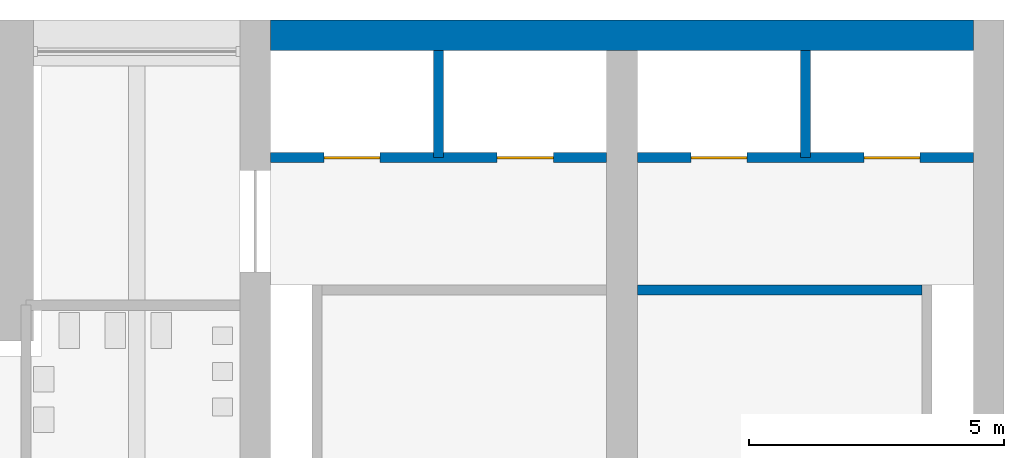
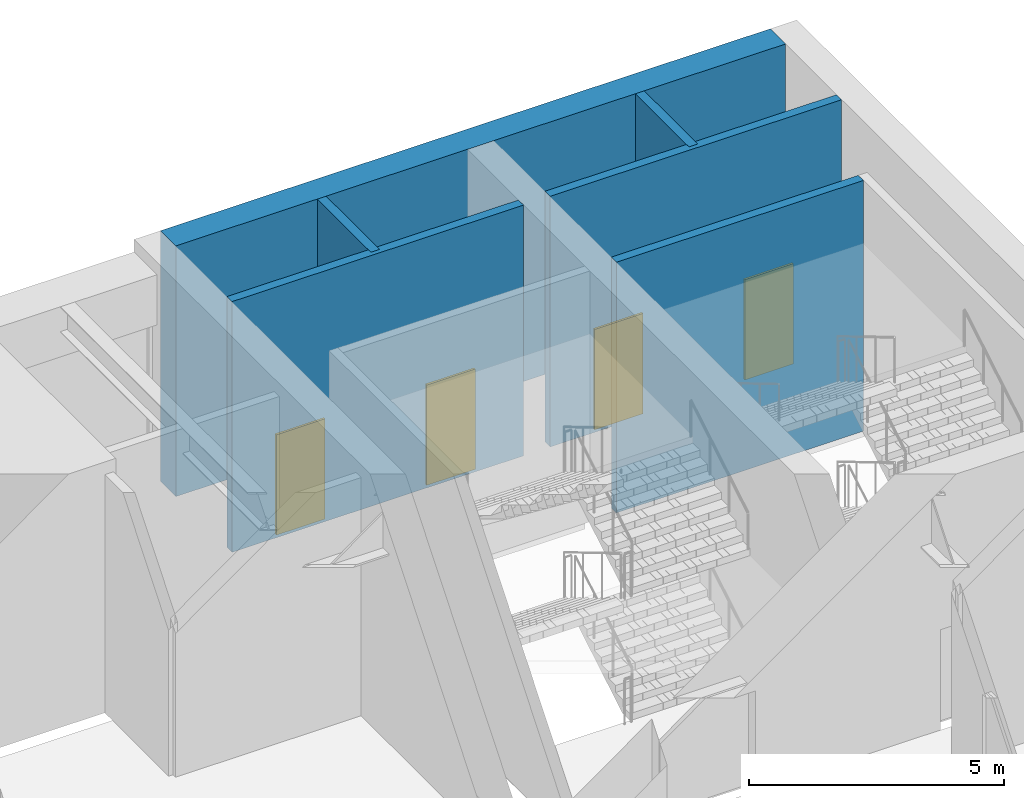
# One storey, part 17 of 41: 6 walls, 4 doors, 4 openings.
"""IFC4 building model written with IfcOpenShell, lengths in metres."""

import ifcopenshell
import ifcopenshell.guid

model = None  # the IFC model being written
_history = None  # IfcOwnerHistory: only IFC2X3 demands one
_inside = {}  # id of a spatial element -> (the spatial element, [elements in it])
_under = {}  # id of a project, library or spatial element -> (it, [spatial elements below it])
_declared = {}  # id of a project -> (the project, [libraries it declares])
_typed = {}  # id of a type object -> (the type object, [elements of that type])
_made_of = {}  # id of a material, layer set ... -> (it, [elements and type objects made of it])


def new_model(schema):
    """Start an empty IFC model of exactly this schema.

    Asked for "IFC4X3", IfcOpenShell would pick the latest addendum, in which some entities
    have other attributes; the version numbers below select the first issue.
    IFC2X3 requires an IfcOwnerHistory on every rooted entity: one is made here for all.
    """
    global model, _history
    if schema == "IFC4X3":
        model = ifcopenshell.file(schema_version=(4, 3, 0, 0))
    else:
        model = ifcopenshell.file(schema=schema)
    _inside.clear()
    _under.clear()
    _declared.clear()
    _typed.clear()
    _made_of.clear()
    _history = None
    if model.schema == "IFC2X3":
        org = make("IfcOrganization", Name="unknown")
        user = make(
            "IfcPersonAndOrganization",
            ThePerson=make("IfcPerson", FamilyName="unknown"),
            TheOrganization=org,
        )
        app = make(
            "IfcApplication",
            ApplicationDeveloper=org,
            Version="unknown",
            ApplicationFullName="unknown",
            ApplicationIdentifier="unknown",
        )
        _history = make(
            "IfcOwnerHistory",
            OwningUser=user,
            OwningApplication=app,
            ChangeAction="ADDED",
            CreationDate=0,
        )
    return model


def make(cls, **values):
    """One entity of the class cls with the attributes given. An attribute that is None is left unset."""
    return model.create_entity(
        cls, **{name: value for name, value in values.items() if value is not None}
    )


def rooted(cls, **values):
    """An entity with a GlobalId (a new one), such as an element, a storey or a relation."""
    return make(cls, GlobalId=ifcopenshell.guid.new(), OwnerHistory=_history, **values)


def si_unit(unit_type, name, prefix=None):
    """IfcSIUnit, for example si_unit("LENGTHUNIT", "METRE", prefix="MILLI")."""
    return make("IfcSIUnit", UnitType=unit_type, Prefix=prefix, Name=name)


def assignment(units):
    """IfcUnitAssignment: the units of a project."""
    return None if units is None else make("IfcUnitAssignment", Units=units)


def point(xyz):
    """IfcCartesianPoint."""
    return None if xyz is None else make("IfcCartesianPoint", Coordinates=xyz)


def direction(xyz):
    """IfcDirection."""
    return None if xyz is None else make("IfcDirection", DirectionRatios=xyz)


def frame(location, z_axis=None, x_axis=None):
    """IfcAxis2Placement3D, a coordinate frame: its origin and axes. An axis left out is left unset."""
    return make(
        "IfcAxis2Placement3D",
        Location=point(location),
        Axis=direction(z_axis),
        RefDirection=direction(x_axis),
    )


def frame_2d(location, x_axis=None):
    """IfcAxis2Placement2D, a coordinate frame in the plane: its origin and x axis."""
    return make(
        "IfcAxis2Placement2D", Location=point(location), RefDirection=direction(x_axis)
    )


def origin():
    """The frame at (0, 0, 0) with its axes left unset."""
    return frame((0.0, 0.0, 0.0))


def place(relative_to, where):
    """IfcLocalPlacement: puts the frame where relative to a parent placement (None: the world)."""
    return make(
        "IfcLocalPlacement", PlacementRelTo=relative_to, RelativePlacement=where
    )


def context(
    kind, dimensions, precision=None, world=None, true_north=None, identifier=None
):
    """IfcGeometricRepresentationContext, for example the 3D "Model" context."""
    return make(
        "IfcGeometricRepresentationContext",
        ContextIdentifier=identifier,
        ContextType=kind,
        CoordinateSpaceDimension=dimensions,
        Precision=precision,
        WorldCoordinateSystem=world,
        TrueNorth=true_north,
    )


def subcontext(parent, identifier, kind, view, scale=None):
    """IfcGeometricRepresentationSubContext, for example "Body" below "Model"."""
    return make(
        "IfcGeometricRepresentationSubContext",
        ContextIdentifier=identifier,
        ContextType=kind,
        ParentContext=parent,
        TargetScale=scale,
        TargetView=view,
    )


def project(units=None, contexts=None):
    """IfcProject with its units and contexts."""
    return rooted(
        "IfcProject",
        Name="project",
        RepresentationContexts=contexts,
        UnitsInContext=assignment(units),
    )


def spatial(cls, under=None, at=None, **own):
    """A site, building, storey or space (cls), placed at a placement, below another one or the project."""
    s = rooted(cls, ObjectPlacement=at, **own)
    if under is not None:
        _under.setdefault(under.id(), (under, []))[1].append(s)
    return s


def profile(cls, at=None, kind="AREA", **sizes):
    """A parametric profile (cls). Its sizes go by their IFC names, for example OverallWidth=200.0."""
    return make(cls, ProfileType=kind, Position=at, **sizes)


def rectangle(**sizes):
    """IfcRectangleProfileDef."""
    return profile("IfcRectangleProfileDef", **sizes)


def extrude(swept, where, along, depth):
    """IfcExtrudedAreaSolid: the profile swept, set in the frame where, extruded along a direction by depth."""
    return make(
        "IfcExtrudedAreaSolid",
        SweptArea=swept,
        Position=where,
        ExtrudedDirection=direction(along),
        Depth=depth,
    )


def shape(context_of_items, identifier, shape_type, items):
    """IfcShapeRepresentation: the items that make up one representation, for example the "Body"."""
    return make(
        "IfcShapeRepresentation",
        ContextOfItems=context_of_items,
        RepresentationIdentifier=identifier,
        RepresentationType=shape_type,
        Items=items,
    )


def material(Name=None, Category=None):
    """IfcMaterial."""
    return make("IfcMaterial", Name=Name, Category=Category)


def layer(
    of_material, thickness, ventilated=None, Name=None, Category=None, Priority=None
):
    """IfcMaterialLayer: one layer of a wall or slab, of a material (None: an air gap)."""
    return make(
        "IfcMaterialLayer",
        Material=of_material,
        LayerThickness=thickness,
        IsVentilated=ventilated,
        Name=Name,
        Category=Category,
        Priority=Priority,
    )


def layer_set(layers, Name=None):
    """IfcMaterialLayerSet."""
    return make("IfcMaterialLayerSet", MaterialLayers=layers, LayerSetName=Name)


def made_of(thing, what):
    """Note that an element or type object is made of a material, layer set ...; save() writes the relation."""
    if what is not None:
        _made_of.setdefault(what.id(), (what, []))[1].append(thing)
    return thing


def type_object(cls, material=None, **own):
    """A type object (cls), such as IfcWallType, which elements share."""
    return made_of(rooted(cls, **own), material)


def element(
    cls,
    number,
    at=None,
    inside=None,
    cuts=None,
    type_object=None,
    material=None,
    context=None,
    identifier="Body",
    shape_type=None,
    held_by="IfcProductDefinitionShape",
    body=None,
    shapes=None,
    **own,
):
    """One element of the class cls, such as IfcWall. Its Tag is "e" and its number.

    at: its placement. inside: the storey or other place that contains it. cuts: it is an
    opening in that element (IfcRelVoidsElement). A single representation is given by context,
    identifier, shape_type and body (its items); several are given by shapes. held_by: the class
    of the entity that holds the representations. save() writes the other relations.
    """
    e = rooted(cls, Tag="e%d" % number, ObjectPlacement=at, **own)
    if body is not None:
        shapes = [shape(context, identifier, shape_type, body)]
    if shapes is not None:
        e.Representation = make(held_by, Representations=shapes)
    if inside is not None:
        _inside.setdefault(inside.id(), (inside, []))[1].append(e)
    if cuts is not None:
        rooted(
            "IfcRelVoidsElement", RelatingBuildingElement=cuts, RelatedOpeningElement=e
        )
    if type_object is not None:
        _typed.setdefault(type_object.id(), (type_object, []))[1].append(e)
    return made_of(e, material)


def fill(opening, filler):
    """IfcRelFillsElement: the door or window that sits in an opening."""
    return rooted(
        "IfcRelFillsElement",
        RelatingOpeningElement=opening,
        RelatedBuildingElement=filler,
    )


def aggregate(whole, parts):
    """IfcRelAggregates: a whole, such as a stair, and the parts it consists of."""
    return rooted("IfcRelAggregates", RelatingObject=whole, RelatedObjects=parts)


def save(model, path):
    """Write the relations noted so far, then the file.

    IfcRelAggregates (storeys below a building ...), IfcRelContainedInSpatialStructure (elements
    in a storey), IfcRelDefinesByType, IfcRelAssociatesMaterial and IfcRelDeclares: one each for
    every whole, place, type object, material and project.
    """
    for whole, parts in _under.values():
        aggregate(whole, parts)
    for where, things in _inside.values():
        rooted(
            "IfcRelContainedInSpatialStructure",
            RelatedElements=things,
            RelatingStructure=where,
        )
    for kind, things in _typed.values():
        rooted("IfcRelDefinesByType", RelatedObjects=things, RelatingType=kind)
    for what, things in _made_of.values():
        rooted("IfcRelAssociatesMaterial", RelatedObjects=things, RelatingMaterial=what)
    for by, libraries in _declared.values():
        rooted("IfcRelDeclares", RelatingContext=by, RelatedDefinitions=libraries)
    model.write(path)


model = new_model("IFC4")

# Units and contexts
model_context = context("Model", 3, precision=1e-05, world=origin(), true_north=direction((0.0, 1.0)))
body_context = subcontext(model_context, "Body", "Model", "MODEL_VIEW")
ifc_project = project(units=[si_unit("LENGTHUNIT", "METRE"), si_unit("AREAUNIT", "SQUARE_METRE"), si_unit("VOLUMEUNIT", "CUBIC_METRE"), si_unit("PLANEANGLEUNIT", "RADIAN"), si_unit("MASSUNIT", "GRAM", prefix="KILO")], contexts=[model_context])

# Site, building, storey
site_placement = place(None, origin())
site = spatial("IfcSite", under=ifc_project, at=site_placement, CompositionType="ELEMENT")
building_placement = place(site_placement, origin())
building = spatial("IfcBuilding", under=site, at=building_placement, Name="Corbelhall Arena Tower", CompositionType="ELEMENT")
storey_placement = place(building_placement, frame((0.0, 0.0, 19.0)))
storey = spatial("IfcBuildingStorey", under=building, at=storey_placement, Name="L02", CompositionType="ELEMENT", Elevation=19.0)

# Wall, openings, doors
ifc_material_1 = material(Name="Reinforced concrete C40/50", Category="concrete")
ifc_layer_1 = layer(ifc_material_1, 0.199951171875)
ifc_layer_set_1 = layer_set([ifc_layer_1], Name="AR-SHAFT-WALL")
wall_type_1 = type_object("IfcWallType", Name="AR-SHAFT-WALL", PredefinedType="SHEAR", material=ifc_layer_set_1)
wall_1_placement = place(storey_placement, frame((33.60009765625, 36.300048828125, 0.0), z_axis=(0.0, 0.0, 1.0), x_axis=(1.0, 0.0, 0.0)))
wall_1 = element("IfcWall", 1, at=wall_1_placement, inside=storey, type_object=wall_type_1, Name="Lift lobby wall NE", PredefinedType="SHEAR", context=body_context, shape_type="SweptSolid", body=[
    extrude(rectangle(XDim=6.599853515625, YDim=0.199951171875, at=frame_2d((3.2998046875, 0.0))), origin(), (0.0, 0.0, 1.0), 6.0),
])
opening_1_placement = place(wall_1_placement, frame((1.050048828125, 0.0, 0.0)))
opening_1 = element("IfcOpeningElement", 2, at=opening_1_placement, cuts=wall_1, Name="Opening LD0127", PredefinedType="OPENING", context=body_context, shape_type="SweptSolid", body=[
    extrude(rectangle(XDim=1.10009765625, YDim=2.39990234375, at=frame_2d((0.550048828125, 1.199951171875))), frame((0.0, 0.10009765625, 0.0), z_axis=(0.0, -1.0, 0.0), x_axis=(1.0, 0.0, 0.0)), (0.0, 0.0, 1.0), 0.199951171875),
])
opening_2_placement = place(wall_1_placement, frame((4.449951171875, 0.0, 0.0)))
opening_2 = element("IfcOpeningElement", 3, at=opening_2_placement, cuts=wall_1, Name="Opening LD0128", PredefinedType="OPENING", context=body_context, shape_type="SweptSolid", body=[
    extrude(rectangle(XDim=1.10009765625, YDim=2.39990234375, at=frame_2d((0.550048828125, 1.199951171875))), frame((0.0, 0.10009765625, 0.0), z_axis=(0.0, -1.0, 0.0), x_axis=(1.0, 0.0, 0.0)), (0.0, 0.0, 1.0), 0.199951171875),
])
ifc_material_2 = material(Name="Stainless steel A4", Category="steel")
door_type = type_object("IfcDoorType", Name="AR-LANDING-DOOR", OperationType="DOUBLE_DOOR_SLIDING", PredefinedType="DOOR", material=ifc_material_2)
door_1_placement = place(opening_1_placement, origin())
door_1 = element("IfcDoor", 4, at=door_1_placement, inside=storey, type_object=door_type, Name="Landing door NE LF1 L02", OperationType="DOUBLE_DOOR_SLIDING", OverallHeight=2.39990234375, OverallWidth=1.10009765625, PredefinedType="DOOR", context=body_context, shape_type="SweptSolid", body=[
    extrude(rectangle(XDim=1.10009765625, YDim=2.39990234375, at=frame_2d((0.550048828125, 1.199951171875))), frame((0.0, 0.02490234375, 0.0), z_axis=(0.0, -1.0, 0.0), x_axis=(1.0, 0.0, 0.0)), (0.0, 0.0, 1.0), 0.050048828125),
])
fill(opening_1, door_1)
door_2_placement = place(opening_2_placement, origin())
door_2 = element("IfcDoor", 5, at=door_2_placement, inside=storey, type_object=door_type, Name="Landing door NE LF2 L02", OperationType="DOUBLE_DOOR_SLIDING", OverallHeight=2.39990234375, OverallWidth=1.10009765625, PredefinedType="DOOR", context=body_context, shape_type="SweptSolid", body=[
    extrude(rectangle(XDim=1.10009765625, YDim=2.39990234375, at=frame_2d((0.550048828125, 1.199951171875))), frame((0.0, 0.02490234375, 0.0), z_axis=(0.0, -1.0, 0.0), x_axis=(1.0, 0.0, 0.0)), (0.0, 0.0, 1.0), 0.050048828125),
])
fill(opening_2, door_2)

wall_2_placement = place(storey_placement, frame((40.800048828125, 36.300048828125, 0.0), z_axis=(0.0, 0.0, 1.0), x_axis=(1.0, 0.0, 0.0)))
wall_2 = element("IfcWall", 6, at=wall_2_placement, inside=storey, type_object=wall_type_1, Name="Lift lobby wall NE", PredefinedType="SHEAR", context=body_context, shape_type="SweptSolid", body=[
    extrude(rectangle(XDim=6.599853515625, YDim=0.199951171875, at=frame_2d((3.2998046875, 0.0))), origin(), (0.0, 0.0, 1.0), 6.0),
])
opening_3_placement = place(wall_2_placement, frame((1.050048828125, 0.0, 0.0)))
opening_3 = element("IfcOpeningElement", 7, at=opening_3_placement, cuts=wall_2, Name="Opening LD0129", PredefinedType="OPENING", context=body_context, shape_type="SweptSolid", body=[
    extrude(rectangle(XDim=1.10009765625, YDim=2.39990234375, at=frame_2d((0.550048828125, 1.199951171875))), frame((0.0, 0.10009765625, 0.0), z_axis=(0.0, -1.0, 0.0), x_axis=(1.0, 0.0, 0.0)), (0.0, 0.0, 1.0), 0.199951171875),
])
opening_4_placement = place(wall_2_placement, frame((4.449951171875, 0.0, 0.0)))
opening_4 = element("IfcOpeningElement", 8, at=opening_4_placement, cuts=wall_2, Name="Opening LD0130", PredefinedType="OPENING", context=body_context, shape_type="SweptSolid", body=[
    extrude(rectangle(XDim=1.10009765625, YDim=2.39990234375, at=frame_2d((0.550048828125, 1.199951171875))), frame((0.0, 0.10009765625, 0.0), z_axis=(0.0, -1.0, 0.0), x_axis=(1.0, 0.0, 0.0)), (0.0, 0.0, 1.0), 0.199951171875),
])
door_3_placement = place(opening_3_placement, origin())
door_3 = element("IfcDoor", 9, at=door_3_placement, inside=storey, type_object=door_type, Name="Landing door NE LF3 L02", OperationType="DOUBLE_DOOR_SLIDING", OverallHeight=2.39990234375, OverallWidth=1.10009765625, PredefinedType="DOOR", context=body_context, shape_type="SweptSolid", body=[
    extrude(rectangle(XDim=1.10009765625, YDim=2.39990234375, at=frame_2d((0.550048828125, 1.199951171875))), frame((0.0, 0.02490234375, 0.0), z_axis=(0.0, -1.0, 0.0), x_axis=(1.0, 0.0, 0.0)), (0.0, 0.0, 1.0), 0.050048828125),
])
fill(opening_3, door_3)
door_4_placement = place(opening_4_placement, origin())
door_4 = element("IfcDoor", 10, at=door_4_placement, inside=storey, type_object=door_type, Name="Landing door NE LF4 L02", OperationType="DOUBLE_DOOR_SLIDING", OverallHeight=2.39990234375, OverallWidth=1.10009765625, PredefinedType="DOOR", context=body_context, shape_type="SweptSolid", body=[
    extrude(rectangle(XDim=1.10009765625, YDim=2.39990234375, at=frame_2d((0.550048828125, 1.199951171875))), frame((0.0, 0.02490234375, 0.0), z_axis=(0.0, -1.0, 0.0), x_axis=(1.0, 0.0, 0.0)), (0.0, 0.0, 1.0), 0.050048828125),
])
fill(opening_4, door_4)

# Walls
for number, where, z_axis, x_axis, name in (
    (11, (36.89990234375, 36.300048828125, 0.0), (0.0, 0.0, 1.0), (0.0, 1.0, 0.0), "Shaft wall NE"),
    (12, (44.10009765625, 36.300048828125, 0.0), (0.0, 0.0, 1.0), (0.0, 1.0, 0.0), "Shaft wall NE"),
):
    element("IfcWall", number, at=place(storey_placement, frame(where, z_axis=z_axis, x_axis=x_axis)), inside=storey, type_object=wall_type_1, Name=name, PredefinedType="SHEAR", context=body_context, shape_type="SweptSolid", body=[
        extrude(rectangle(XDim=2.099853515625, YDim=0.199951171875, at=frame_2d((1.0498046875, 0.0))), origin(), (0.0, 0.0, 1.0), 6.0),
    ])
ifc_layer_2 = layer(ifc_material_1, 0.199951171875)
ifc_layer_set_2 = layer_set([ifc_layer_2], Name="AR-STAIR-WALL")
wall_type_2 = type_object("IfcWallType", Name="AR-STAIR-WALL", PredefinedType="SOLIDWALL", material=ifc_layer_set_2)
wall_3_placement = place(storey_placement, frame((40.800048828125, 33.699951171875, 0.0), z_axis=(0.0, 0.0, 1.0), x_axis=(1.0, 0.0, 0.0)))
element("IfcWall", 13, at=wall_3_placement, inside=storey, type_object=wall_type_2, Name="Stair AS2 wall", PredefinedType="SOLIDWALL", context=body_context, shape_type="SweptSolid", body=[
    extrude(rectangle(XDim=5.58984375, YDim=0.199951171875, at=frame_2d((2.794921875, 0.0))), origin(), (0.0, 0.0, 1.0), 6.0),
])
ifc_material_3 = material(Name="Concrete C80/95", Category="concrete")
ifc_layer_3 = layer(ifc_material_3, 0.60009765625)
ifc_layer_set_3 = layer_set([ifc_layer_3], Name="PO-CORE-WALL")
wall_type_3 = type_object("IfcWallType", Name="PO-CORE-WALL", PredefinedType="SHEAR", material=ifc_layer_set_3)
wall_4_placement = place(storey_placement, frame((33.60009765625, 38.699951171875, 0.0), z_axis=(0.0, 0.0, 1.0), x_axis=(1.0, 0.0, 0.0)))
element("IfcWall", 14, at=wall_4_placement, inside=storey, type_object=wall_type_3, Name="CORE NE WALL N L02", PredefinedType="SHEAR", context=body_context, shape_type="SweptSolid", body=[
    extrude(rectangle(XDim=13.7998046875, YDim=0.60009765625, at=frame_2d((6.89990234375, 0.0))), origin(), (0.0, 0.0, 1.0), 6.0),
])

save(model, "model.ifc")
